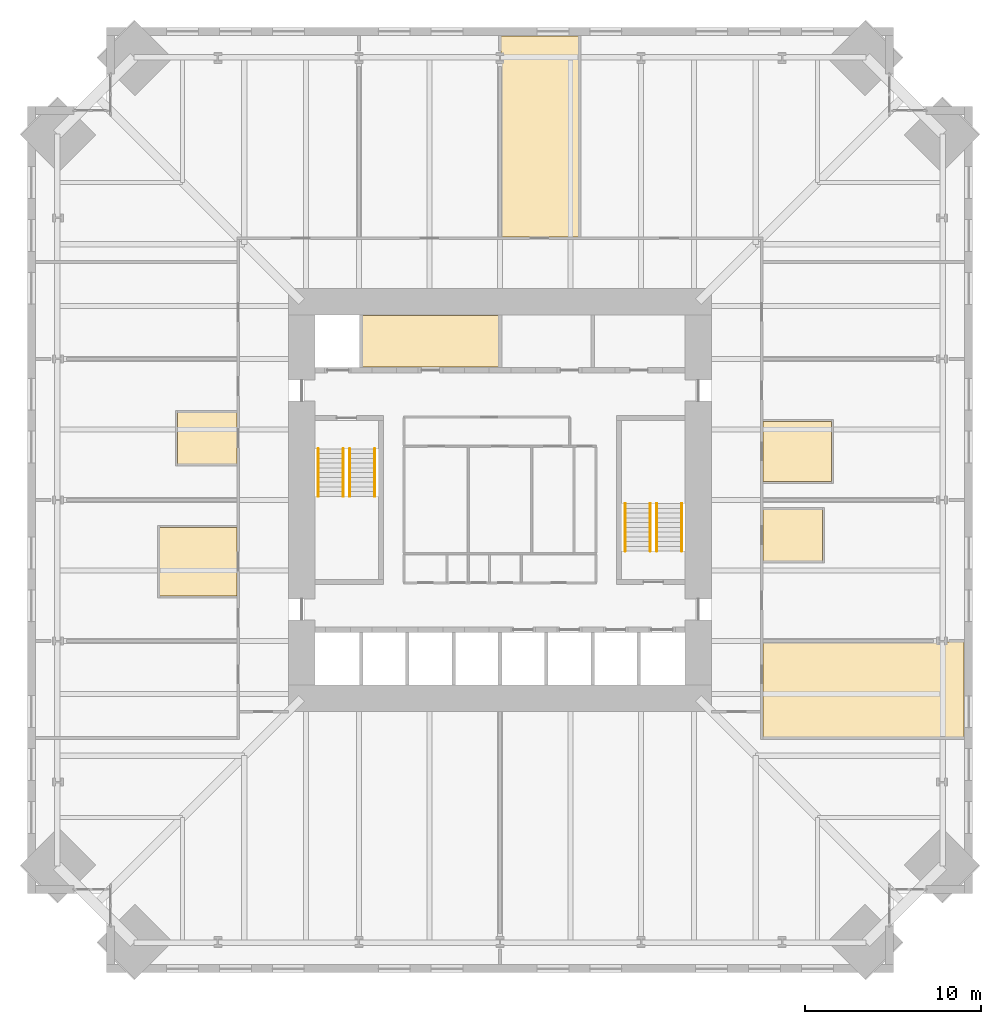
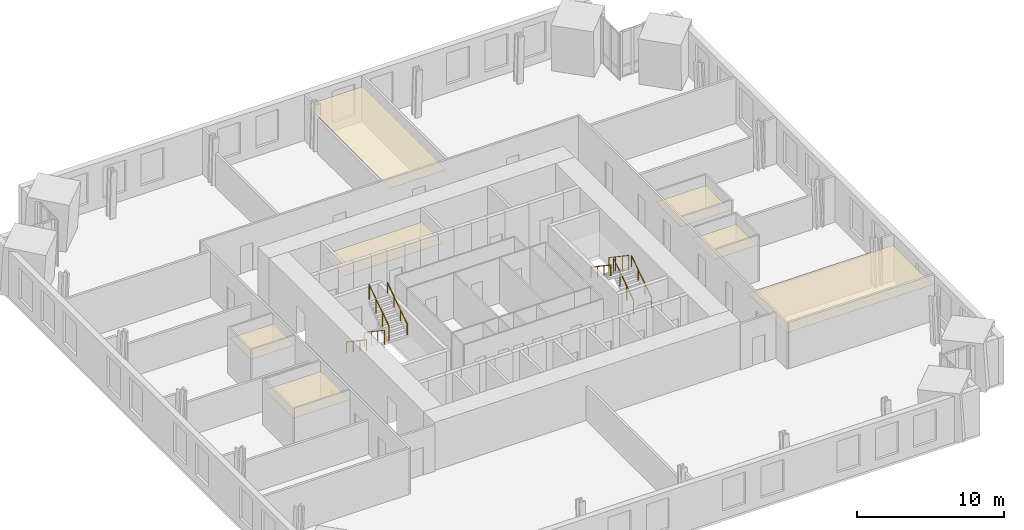
# One storey, part 17 of 17: 8 railings, 7 coverings.
"""IFC4 building model written with IfcOpenShell, lengths in metres."""

from ifc_helpers import new_model, si_unit, direction, frame, origin, origin_2d, place, context, subcontext, project, spatial, polyline, circle, outline, extrude, material, layer, layer_set, type_object, element, save


model = new_model("IFC4")

# Units and contexts
model_context = context("Model", 3, precision=1e-05, world=origin(), true_north=direction((0.0, 1.0)))
body_context = subcontext(model_context, "Body", "Model", "MODEL_VIEW")
ifc_project = project(units=[si_unit("LENGTHUNIT", "METRE"), si_unit("AREAUNIT", "SQUARE_METRE"), si_unit("VOLUMEUNIT", "CUBIC_METRE"), si_unit("PLANEANGLEUNIT", "RADIAN"), si_unit("MASSUNIT", "GRAM", prefix="KILO")], contexts=[model_context])

# Site, building, storey
site_placement = place(None, origin())
site = spatial("IfcSite", under=ifc_project, at=site_placement, CompositionType="ELEMENT")
building_placement = place(site_placement, origin())
building = spatial("IfcBuilding", under=site, at=building_placement, Name="Peilmerk Tower", CompositionType="ELEMENT")
storey_placement = place(building_placement, frame((0.0, 0.0, 143.800048828125)))
storey = spatial("IfcBuildingStorey", under=building, at=storey_placement, Name="L29", CompositionType="ELEMENT", Elevation=143.800048828125)

# Coverings
ifc_material_1 = material(Name="Mineral fibre ceiling tiles", Category="mineral")
ifc_layer = layer(ifc_material_1, 0.02490234375)
ifc_layer_set = layer_set([ifc_layer], Name="Mineral fibre ceiling tiles")
covering_type = type_object("IfcCoveringType", Name="CL1 25 suspended ceiling", PredefinedType="CEILING", material=ifc_layer_set)
covering_1_placement = place(storey_placement, frame((0.0, 0.0, 2.905029296875)))
element("IfcCovering", 1, at=covering_1_placement, inside=storey, type_object=covering_type, Name="Suspended ceiling Project room", PredefinedType="CEILING", context=body_context, shape_type="SweptSolid", body=[
    extrude(outline(polyline([(4.449951171875, 26.300048828125), (0.050048828125, 26.300048828125), (0.050048828125, 14.89990234375), (4.449951171875, 14.89990234375), (4.449951171875, 26.300048828125)])), origin(), (0.0, 0.0, 1.0), 0.02490234375),
])
covering_2_placement = place(storey_placement, frame((0.0, 0.0, 2.905029296875)))
element("IfcCovering", 2, at=covering_2_placement, inside=storey, type_object=covering_type, Name="Suspended ceiling Project room", PredefinedType="CEILING", context=body_context, shape_type="SweptSolid", body=[
    extrude(outline(polyline([(26.300048828125, -13.449951171875), (26.300048828125, -8.050048828125), (14.89990234375, -8.050048828125), (14.89990234375, -13.449951171875), (26.300048828125, -13.449951171875)])), origin(), (0.0, 0.0, 1.0), 0.02490234375),
])
covering_3_placement = place(storey_placement, frame((0.0, 0.0, 2.905029296875)))
element("IfcCovering", 3, at=covering_3_placement, inside=storey, type_object=covering_type, Name="Suspended ceiling Pantry", PredefinedType="CEILING", context=body_context, shape_type="SweptSolid", body=[
    extrude(outline(polyline([(18.800048828125, 1.050048828125), (18.800048828125, 4.449951171875), (14.89990234375, 4.449951171875), (14.89990234375, 1.050048828125), (18.800048828125, 1.050048828125)])), origin(), (0.0, 0.0, 1.0), 0.02490234375),
])
covering_4_placement = place(storey_placement, frame((0.0, 0.0, 2.905029296875)))
element("IfcCovering", 4, at=covering_4_placement, inside=storey, type_object=covering_type, Name="Suspended ceiling Focus room", PredefinedType="CEILING", context=body_context, shape_type="SweptSolid", body=[
    extrude(outline(polyline([(18.300048828125, -3.449951171875), (18.300048828125, -0.550048828125), (14.89990234375, -0.550048828125), (14.89990234375, -3.449951171875), (18.300048828125, -3.449951171875)])), origin(), (0.0, 0.0, 1.0), 0.02490234375),
])
covering_5_placement = place(storey_placement, frame((0.0, 0.0, 2.905029296875)))
element("IfcCovering", 5, at=covering_5_placement, inside=storey, type_object=covering_type, Name="Suspended ceiling Focus room", PredefinedType="CEILING", context=body_context, shape_type="SweptSolid", body=[
    extrude(outline(polyline([(-14.89990234375, 2.050048828125), (-14.89990234375, 4.949951171875), (-18.300048828125, 4.949951171875), (-18.300048828125, 2.050048828125), (-14.89990234375, 2.050048828125)])), origin(), (0.0, 0.0, 1.0), 0.02490234375),
])
covering_6_placement = place(storey_placement, frame((0.0, 0.0, 2.905029296875)))
element("IfcCovering", 6, at=covering_6_placement, inside=storey, type_object=covering_type, Name="Suspended ceiling Meeting room", PredefinedType="CEILING", context=body_context, shape_type="SweptSolid", body=[
    extrude(outline(polyline([(-14.89990234375, -5.449951171875), (-14.89990234375, -1.550048828125), (-19.300048828125, -1.550048828125), (-19.300048828125, -5.449951171875), (-14.89990234375, -5.449951171875)])), origin(), (0.0, 0.0, 1.0), 0.02490234375),
])
covering_7_placement = place(storey_placement, frame((0.0, 0.0, 2.824951171875)))
element("IfcCovering", 7, at=covering_7_placement, inside=storey, type_object=covering_type, Name="Suspended ceiling Back-of-house office", PredefinedType="CEILING", context=body_context, shape_type="SweptSolid", body=[
    extrude(outline(polyline([(-7.823974609375, 7.551025390625), (-0.051025390625, 7.551025390625), (-0.051025390625, 10.448974609375), (-7.823974609375, 10.448974609375), (-7.823974609375, 7.551025390625)])), origin(), (0.0, 0.0, 1.0), 0.02490234375),
])

# Railings
ifc_material_2 = material(Name="Steel flat bar balustrade", Category="steel")
railing_type_1 = type_object("IfcRailingType", Name="GR1 1200 stair guard", PredefinedType="GUARDRAIL", material=ifc_material_2)
railing_1_placement = place(storey_placement, frame((-8.8798828125, 2.89990234375, 0.181884765625)))
element("IfcRailing", 8, at=railing_1_placement, inside=storey, type_object=railing_type_1, Name="Guard stair 1 L29", PredefinedType="GUARDRAIL", context=body_context, shape_type="SweptSolid", body=[
    extrude(circle(Radius=0.02392578125, at=origin_2d()), frame((0.0, 0.0, 1.17578125), z_axis=(0.0, -0.829468130872, 0.55855404382), x_axis=(1.0, 0.0, 0.0)), (0.0, 0.0, 1.0), 3.255126953125),
    extrude(circle(Radius=0.02099609375, at=origin_2d()), origin(), (0.0, 0.0, 1.0), 1.15185546875),
    extrude(circle(Radius=0.02099609375, at=origin_2d()), frame((0.0, -0.89990234375, 0.60595703125)), (0.0, 0.0, 1.0), 1.15185546875),
    extrude(circle(Radius=0.02099609375, at=origin_2d()), frame((0.0, -1.800048828125, 1.212158203125)), (0.0, 0.0, 1.0), 1.15185546875),
    extrude(circle(Radius=0.02099609375, at=origin_2d()), frame((0.0, -2.699951171875, 1.818115234375)), (0.0, 0.0, 1.0), 1.15185546875),
])
for number, where, name in (
    (9, (-8.52001953125, 0.199951171875, 2.181884765625), "Guard stair 1 L29"),
    (10, (8.8798828125, -2.89990234375, 0.181884765625), "Guard stair 2 L29"),
):
    element("IfcRailing", number, at=place(storey_placement, frame(where)), inside=storey, type_object=railing_type_1, Name=name, PredefinedType="GUARDRAIL", context=body_context, shape_type="SweptSolid", body=[
        extrude(circle(Radius=0.02392578125, at=origin_2d()), frame((0.0, 0.0, 1.17578125), z_axis=(0.0, 0.829468130872, 0.55855404382), x_axis=(-1.0, 0.0, 0.0)), (0.0, 0.0, 1.0), 3.255126953125),
        extrude(circle(Radius=0.02099609375, at=origin_2d()), origin(), (0.0, 0.0, 1.0), 1.15185546875),
        extrude(circle(Radius=0.02099609375, at=origin_2d()), frame((0.0, 0.89990234375, 0.60595703125)), (0.0, 0.0, 1.0), 1.15185546875),
        extrude(circle(Radius=0.02099609375, at=origin_2d()), frame((0.0, 1.800048828125, 1.212158203125)), (0.0, 0.0, 1.0), 1.15185546875),
        extrude(circle(Radius=0.02099609375, at=origin_2d()), frame((0.0, 2.699951171875, 1.818115234375)), (0.0, 0.0, 1.0), 1.15185546875),
    ])
railing_2_placement = place(storey_placement, frame((8.52001953125, -0.199951171875, 2.181884765625)))
element("IfcRailing", 11, at=railing_2_placement, inside=storey, type_object=railing_type_1, Name="Guard stair 2 L29", PredefinedType="GUARDRAIL", context=body_context, shape_type="SweptSolid", body=[
    extrude(circle(Radius=0.02392578125, at=origin_2d()), frame((0.0, 0.0, 1.17578125), z_axis=(0.0, -0.829468130872, 0.55855404382), x_axis=(1.0, 0.0, 0.0)), (0.0, 0.0, 1.0), 3.255126953125),
    extrude(circle(Radius=0.02099609375, at=origin_2d()), origin(), (0.0, 0.0, 1.0), 1.15185546875),
    extrude(circle(Radius=0.02099609375, at=origin_2d()), frame((0.0, -0.89990234375, 0.60595703125)), (0.0, 0.0, 1.0), 1.15185546875),
    extrude(circle(Radius=0.02099609375, at=origin_2d()), frame((0.0, -1.800048828125, 1.212158203125)), (0.0, 0.0, 1.0), 1.15185546875),
    extrude(circle(Radius=0.02099609375, at=origin_2d()), frame((0.0, -2.699951171875, 1.818115234375)), (0.0, 0.0, 1.0), 1.15185546875),
])
ifc_material_3 = material(Name="Stainless steel tube", Category="steel")
railing_type_2 = type_object("IfcRailingType", Name="HR1 900 stair handrail", PredefinedType="HANDRAIL", material=ifc_material_3)
railing_3_placement = place(storey_placement, frame((-10.300048828125, 2.89990234375, 0.181884765625)))
element("IfcRailing", 12, at=railing_3_placement, inside=storey, type_object=railing_type_2, Name="Handrail stair 1 L29", PredefinedType="HANDRAIL", context=body_context, shape_type="SweptSolid", body=[
    extrude(circle(Radius=0.02392578125, at=origin_2d()), frame((0.0, 0.0, 0.8759765625), z_axis=(0.0, -0.829468130872, 0.55855404382), x_axis=(1.0, 0.0, 0.0)), (0.0, 0.0, 1.0), 3.255126953125),
    extrude(circle(Radius=0.02099609375, at=origin_2d()), origin(), (0.0, 0.0, 1.0), 0.851806640625),
    extrude(circle(Radius=0.02099609375, at=origin_2d()), frame((0.0, -0.89990234375, 0.60595703125)), (0.0, 0.0, 1.0), 0.851806640625),
    extrude(circle(Radius=0.02099609375, at=origin_2d()), frame((0.0, -1.800048828125, 1.212158203125)), (0.0, 0.0, 1.0), 0.851806640625),
    extrude(circle(Radius=0.02099609375, at=origin_2d()), frame((0.0, -2.699951171875, 1.818115234375)), (0.0, 0.0, 1.0), 0.851806640625),
])
for number, where, name in (
    (13, (-7.10009765625, 0.199951171875, 2.181884765625), "Handrail stair 1 L29"),
    (14, (10.300048828125, -2.89990234375, 0.181884765625), "Handrail stair 2 L29"),
):
    element("IfcRailing", number, at=place(storey_placement, frame(where)), inside=storey, type_object=railing_type_2, Name=name, PredefinedType="HANDRAIL", context=body_context, shape_type="SweptSolid", body=[
        extrude(circle(Radius=0.02392578125, at=origin_2d()), frame((0.0, 0.0, 0.8759765625), z_axis=(0.0, 0.829468130872, 0.55855404382), x_axis=(-1.0, 0.0, 0.0)), (0.0, 0.0, 1.0), 3.255126953125),
        extrude(circle(Radius=0.02099609375, at=origin_2d()), origin(), (0.0, 0.0, 1.0), 0.851806640625),
        extrude(circle(Radius=0.02099609375, at=origin_2d()), frame((0.0, 0.89990234375, 0.60595703125)), (0.0, 0.0, 1.0), 0.851806640625),
        extrude(circle(Radius=0.02099609375, at=origin_2d()), frame((0.0, 1.800048828125, 1.212158203125)), (0.0, 0.0, 1.0), 0.851806640625),
        extrude(circle(Radius=0.02099609375, at=origin_2d()), frame((0.0, 2.699951171875, 1.818115234375)), (0.0, 0.0, 1.0), 0.851806640625),
    ])
railing_4_placement = place(storey_placement, frame((7.10009765625, -0.199951171875, 2.181884765625)))
element("IfcRailing", 15, at=railing_4_placement, inside=storey, type_object=railing_type_2, Name="Handrail stair 2 L29", PredefinedType="HANDRAIL", context=body_context, shape_type="SweptSolid", body=[
    extrude(circle(Radius=0.02392578125, at=origin_2d()), frame((0.0, 0.0, 0.8759765625), z_axis=(0.0, -0.829468130872, 0.55855404382), x_axis=(1.0, 0.0, 0.0)), (0.0, 0.0, 1.0), 3.255126953125),
    extrude(circle(Radius=0.02099609375, at=origin_2d()), origin(), (0.0, 0.0, 1.0), 0.851806640625),
    extrude(circle(Radius=0.02099609375, at=origin_2d()), frame((0.0, -0.89990234375, 0.60595703125)), (0.0, 0.0, 1.0), 0.851806640625),
    extrude(circle(Radius=0.02099609375, at=origin_2d()), frame((0.0, -1.800048828125, 1.212158203125)), (0.0, 0.0, 1.0), 0.851806640625),
    extrude(circle(Radius=0.02099609375, at=origin_2d()), frame((0.0, -2.699951171875, 1.818115234375)), (0.0, 0.0, 1.0), 0.851806640625),
])

save(model, "model.ifc")
